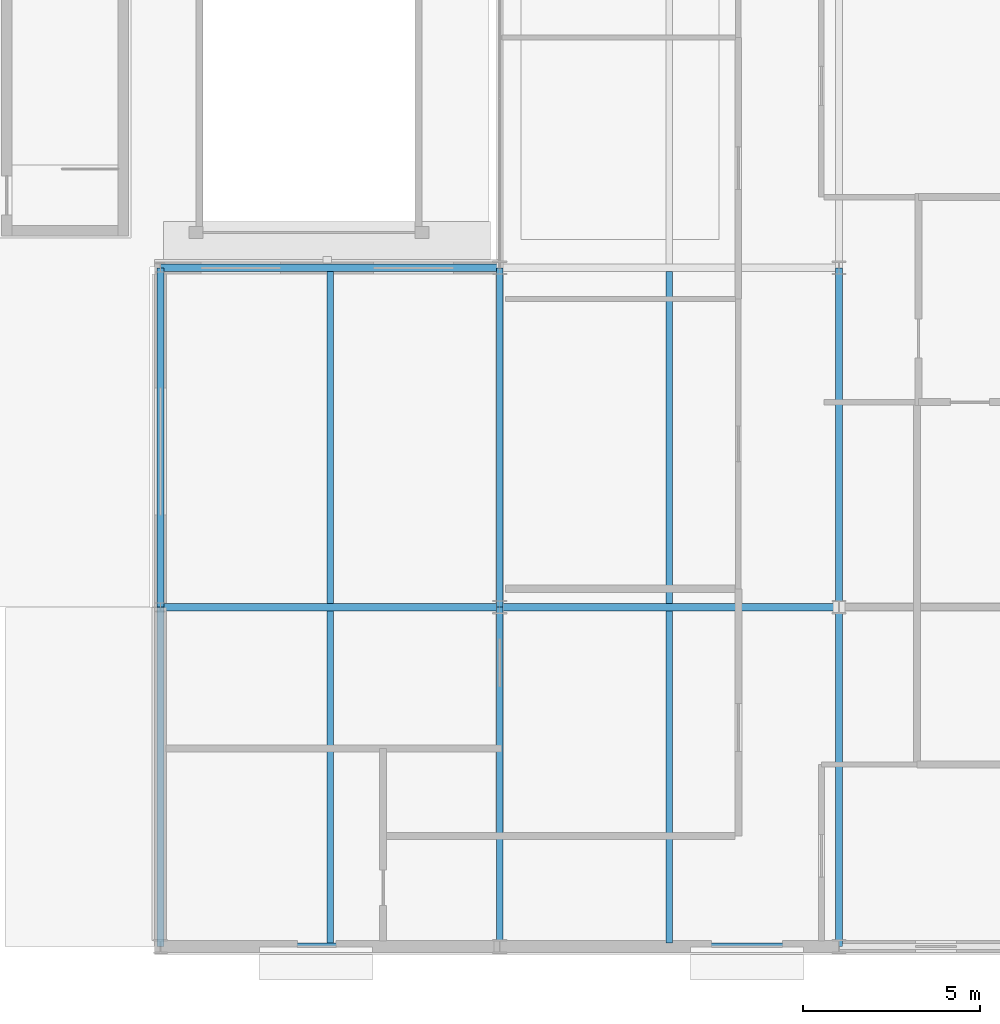
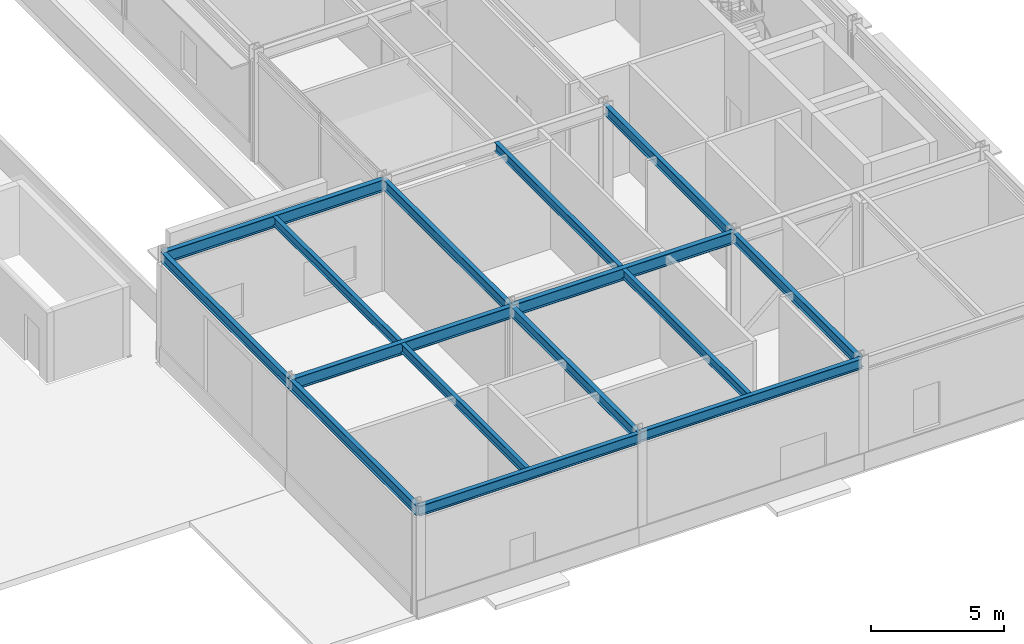
# One storey, part 94 of 168: 15 beams.
"""IFC4 building model written with IfcOpenShell, lengths in metres."""

from ifc_helpers import new_model, si_unit, direction, frame, origin, origin_2d, place, context, subcontext, project, spatial, i_section, extrude, material, material_profile, profile_set, type_object, element, save


model = new_model("IFC4")

# Units and contexts
model_context = context("Model", 3, precision=1e-05, world=origin(), true_north=direction((0.0, 1.0)))
body_context = subcontext(model_context, "Body", "Model", "MODEL_VIEW")
ifc_project = project(units=[si_unit("LENGTHUNIT", "METRE"), si_unit("AREAUNIT", "SQUARE_METRE"), si_unit("VOLUMEUNIT", "CUBIC_METRE"), si_unit("PLANEANGLEUNIT", "RADIAN"), si_unit("MASSUNIT", "GRAM", prefix="KILO")], contexts=[model_context])

# Site, building, storey
site_placement = place(None, origin())
site = spatial("IfcSite", under=ifc_project, at=site_placement, CompositionType="ELEMENT")
building_placement = place(site_placement, origin())
building = spatial("IfcBuilding", under=site, at=building_placement, Name="Almandine Court Research Institute", CompositionType="ELEMENT")
storey_placement = place(building_placement, origin())
storey = spatial("IfcBuildingStorey", under=building, at=storey_placement, Name="L00", CompositionType="ELEMENT", Elevation=0.0)

# Beams
ifc_material = material(Name="Steel ASTM A992 Grade 50", Category="steel")
ifc_material_profile_1 = material_profile(ifc_material, i_section(OverallWidth=0.18994140625, OverallDepth=0.45703125, WebThickness=0.009033203125, FlangeThickness=0.014892578125, at=origin_2d()), Name="W460x74")
ifc_profile_set_1 = profile_set([ifc_material_profile_1], Name="Steel ASTM A992 Grade 50")
beam_type_1 = type_object("IfcBeamType", Name="Beam-B-01", PredefinedType="BEAM", material=ifc_profile_set_1)
for number, where, z_axis, x_axis, name in (
    (1, (153.60009765625, 6.0, 4.794921875), (0.0, 1.0, 0.0), (-1.0, 0.0, 0.0), "L00 V4 Primary Y Girder"),
    (2, (163.199951171875, 6.0, 4.841064453125), (0.0, 1.0, 0.0), (-1.0, 0.0, 0.0), "L00 V4 Primary Y Girder"),
):
    element("IfcBeam", number, at=place(storey_placement, frame(where, z_axis=z_axis, x_axis=x_axis)), inside=storey, type_object=beam_type_1, Name=name, PredefinedType="BEAM", context=body_context, shape_type="SweptSolid", body=[
        extrude(i_section(OverallWidth=0.18994140625, OverallDepth=0.45703125, WebThickness=0.009033203125, FlangeThickness=0.014892578125, at=origin_2d()), origin(), (0.0, 0.0, 1.0), 9.60009765625),
    ])
for number, where, z_axis, x_axis, name in (
    (3, (153.60009765625, 15.60009765625, 4.794921875), (0.0, 1.0, 0.0), (-1.0, 0.0, 0.0), "L00 V4 Primary Y Girder"),
    (4, (163.199951171875, 15.60009765625, 4.841064453125), (0.0, 1.0, 0.0), (-1.0, 0.0, 0.0), "L00 V4 Primary Y Girder"),
):
    element("IfcBeam", number, at=place(storey_placement, frame(where, z_axis=z_axis, x_axis=x_axis)), inside=storey, type_object=beam_type_1, Name=name, PredefinedType="BEAM", context=body_context, shape_type="SweptSolid", body=[
        extrude(i_section(OverallWidth=0.18994140625, OverallDepth=0.45703125, WebThickness=0.009033203125, FlangeThickness=0.014892578125, at=origin_2d()), origin(), (0.0, 0.0, 1.0), 9.599853515625),
    ])
ifc_material_profile_2 = material_profile(ifc_material, i_section(OverallWidth=0.178955078125, OverallDepth=0.409912109375, WebThickness=0.009033203125, FlangeThickness=0.013916015625, at=origin_2d()), Name="W410x67")
ifc_profile_set_2 = profile_set([ifc_material_profile_2], Name="Steel ASTM A992 Grade 50")
beam_type_2 = type_object("IfcBeamType", Name="Beam-B-02", PredefinedType="JOIST", material=ifc_profile_set_2)
for number, where, z_axis, x_axis, name in (
    (5, (148.800048828125, 6.094970703125, 4.818115234375), (0.0, 1.0, 0.0), (-1.0, 0.0, 0.0), "L00 V4 Composite Secondary Beam"),
    (6, (158.39990234375, 6.094970703125, 4.864990234375), (0.0, 1.0, 0.0), (-1.0, 0.0, 0.0), "L00 V4 Composite Secondary Beam"),
):
    element("IfcBeam", number, at=place(storey_placement, frame(where, z_axis=z_axis, x_axis=x_axis)), inside=storey, type_object=beam_type_2, Name=name, PredefinedType="JOIST", context=body_context, shape_type="SweptSolid", body=[
        extrude(i_section(OverallWidth=0.178955078125, OverallDepth=0.409912109375, WebThickness=0.009033203125, FlangeThickness=0.013916015625, at=origin_2d()), origin(), (0.0, 0.0, 1.0), 9.401123046875),
    ])
for number, where, z_axis, x_axis, name in (
    (7, (148.800048828125, 15.7041015625, 4.818115234375), (0.0, 1.0, 0.0), (-1.0, 0.0, 0.0), "L00 V4 Composite Secondary Beam"),
    (8, (158.39990234375, 15.7041015625, 4.864990234375), (0.0, 1.0, 0.0), (-1.0, 0.0, 0.0), "L00 V4 Composite Secondary Beam"),
):
    element("IfcBeam", number, at=place(storey_placement, frame(where, z_axis=z_axis, x_axis=x_axis)), inside=storey, type_object=beam_type_2, Name=name, PredefinedType="JOIST", context=body_context, shape_type="SweptSolid", body=[
        extrude(i_section(OverallWidth=0.178955078125, OverallDepth=0.409912109375, WebThickness=0.009033203125, FlangeThickness=0.013916015625, at=origin_2d()), origin(), (0.0, 0.0, 1.0), 9.391845703125),
    ])
ifc_material_profile_3 = material_profile(ifc_material, i_section(OverallWidth=0.2109375, OverallDepth=0.5390625, WebThickness=0.011962890625, FlangeThickness=0.01904296875, at=origin_2d()), Name="W530x109")
ifc_profile_set_3 = profile_set([ifc_material_profile_3], Name="Steel ASTM A992 Grade 50")
beam_type_3 = type_object("IfcBeamType", Name="Beam-G-04", PredefinedType="BEAM", material=ifc_profile_set_3)
beam_1_placement = place(storey_placement, frame((144.0, 15.60009765625, 4.75390625), z_axis=(1.0, 0.0, 0.0), x_axis=(0.0, 1.0, 0.0)))
element("IfcBeam", 9, at=beam_1_placement, inside=storey, type_object=beam_type_3, Name="L00 V4 Primary X Girder", PredefinedType="BEAM", context=body_context, shape_type="SweptSolid", body=[
    extrude(i_section(OverallWidth=0.2109375, OverallDepth=0.5390625, WebThickness=0.011962890625, FlangeThickness=0.01904296875, at=origin_2d()), origin(), (0.0, 0.0, 1.0), 9.60009765625),
])
beam_2_placement = place(storey_placement, frame((153.60009765625, 15.60009765625, 4.801025390625), z_axis=(1.0, 0.0, 0.0), x_axis=(0.0, 1.0, 0.0)))
element("IfcBeam", 10, at=beam_2_placement, inside=storey, type_object=beam_type_3, Name="L00 V4 Primary X Girder", PredefinedType="BEAM", context=body_context, shape_type="SweptSolid", body=[
    extrude(i_section(OverallWidth=0.2109375, OverallDepth=0.5390625, WebThickness=0.011962890625, FlangeThickness=0.01904296875, at=origin_2d()), origin(), (0.0, 0.0, 1.0), 9.599853515625),
])
beam_3_placement = place(storey_placement, frame((144.0, 25.199951171875, 4.75390625), z_axis=(1.0, 0.0, 0.0), x_axis=(0.0, 1.0, 0.0)))
element("IfcBeam", 11, at=beam_3_placement, inside=storey, type_object=beam_type_3, Name="L00 V4 Primary X Girder", PredefinedType="BEAM", context=body_context, shape_type="SweptSolid", body=[
    extrude(i_section(OverallWidth=0.2109375, OverallDepth=0.5390625, WebThickness=0.011962890625, FlangeThickness=0.01904296875, at=origin_2d()), origin(), (0.0, 0.0, 1.0), 9.60009765625),
])
ifc_material_profile_4 = material_profile(ifc_material, i_section(OverallWidth=0.193115234375, OverallDepth=0.466064453125, WebThickness=0.010986328125, FlangeThickness=0.01904296875, at=origin_2d()), Name="W460x97")
ifc_profile_set_4 = profile_set([ifc_material_profile_4], Name="Steel ASTM A992 Grade 50")
beam_type_4 = type_object("IfcBeamType", Name="Beam-G-06-E", PredefinedType="SPANDREL", material=ifc_profile_set_4)
beam_4_placement = place(storey_placement, frame((144.0, 6.0, 4.7900390625), z_axis=(1.0, 0.0, 0.0), x_axis=(0.0, 1.0, 0.0)))
element("IfcBeam", 12, at=beam_4_placement, inside=storey, type_object=beam_type_4, Name="L00 V4 Primary X Girder", PredefinedType="SPANDREL", context=body_context, shape_type="SweptSolid", body=[
    extrude(i_section(OverallWidth=0.193115234375, OverallDepth=0.466064453125, WebThickness=0.010986328125, FlangeThickness=0.01904296875, at=origin_2d()), origin(), (0.0, 0.0, 1.0), 9.60009765625),
])
beam_5_placement = place(storey_placement, frame((153.60009765625, 6.0, 4.8369140625), z_axis=(1.0, 0.0, 0.0), x_axis=(0.0, 1.0, 0.0)))
element("IfcBeam", 13, at=beam_5_placement, inside=storey, type_object=beam_type_4, Name="L00 V4 Primary X Girder", PredefinedType="SPANDREL", context=body_context, shape_type="SweptSolid", body=[
    extrude(i_section(OverallWidth=0.193115234375, OverallDepth=0.466064453125, WebThickness=0.010986328125, FlangeThickness=0.01904296875, at=origin_2d()), origin(), (0.0, 0.0, 1.0), 9.599853515625),
])
beam_6_placement = place(storey_placement, frame((144.0, 6.0, 4.7900390625), z_axis=(0.0, 1.0, 0.0), x_axis=(-1.0, 0.0, 0.0)))
element("IfcBeam", 14, at=beam_6_placement, inside=storey, type_object=beam_type_4, Name="L00 V4 Primary Y Girder", PredefinedType="SPANDREL", context=body_context, shape_type="SweptSolid", body=[
    extrude(i_section(OverallWidth=0.193115234375, OverallDepth=0.466064453125, WebThickness=0.010986328125, FlangeThickness=0.01904296875, at=origin_2d()), origin(), (0.0, 0.0, 1.0), 9.60009765625),
])
beam_7_placement = place(storey_placement, frame((144.0, 15.60009765625, 4.7900390625), z_axis=(0.0, 1.0, 0.0), x_axis=(-1.0, 0.0, 0.0)))
element("IfcBeam", 15, at=beam_7_placement, inside=storey, type_object=beam_type_4, Name="L00 V4 Primary Y Girder", PredefinedType="SPANDREL", context=body_context, shape_type="SweptSolid", body=[
    extrude(i_section(OverallWidth=0.193115234375, OverallDepth=0.466064453125, WebThickness=0.010986328125, FlangeThickness=0.01904296875, at=origin_2d()), origin(), (0.0, 0.0, 1.0), 9.599853515625),
])

save(model, "model.ifc")
